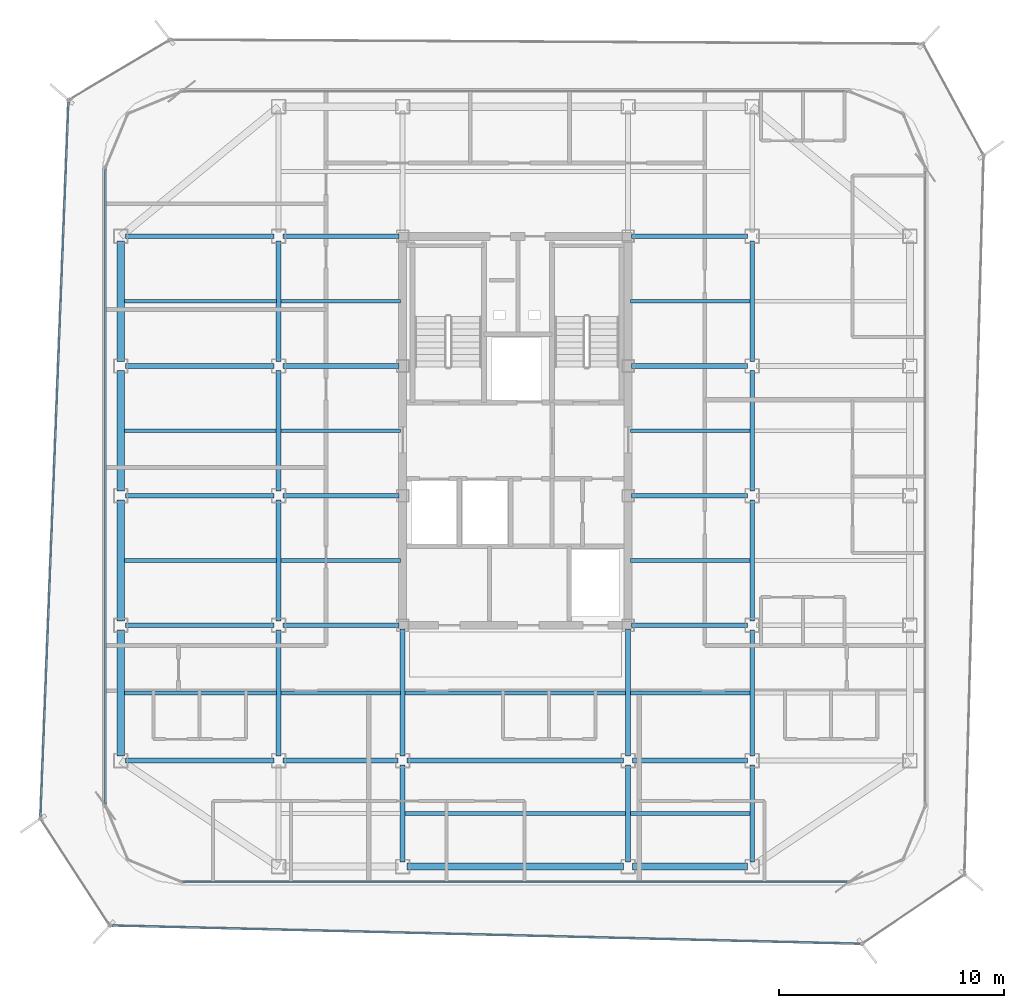
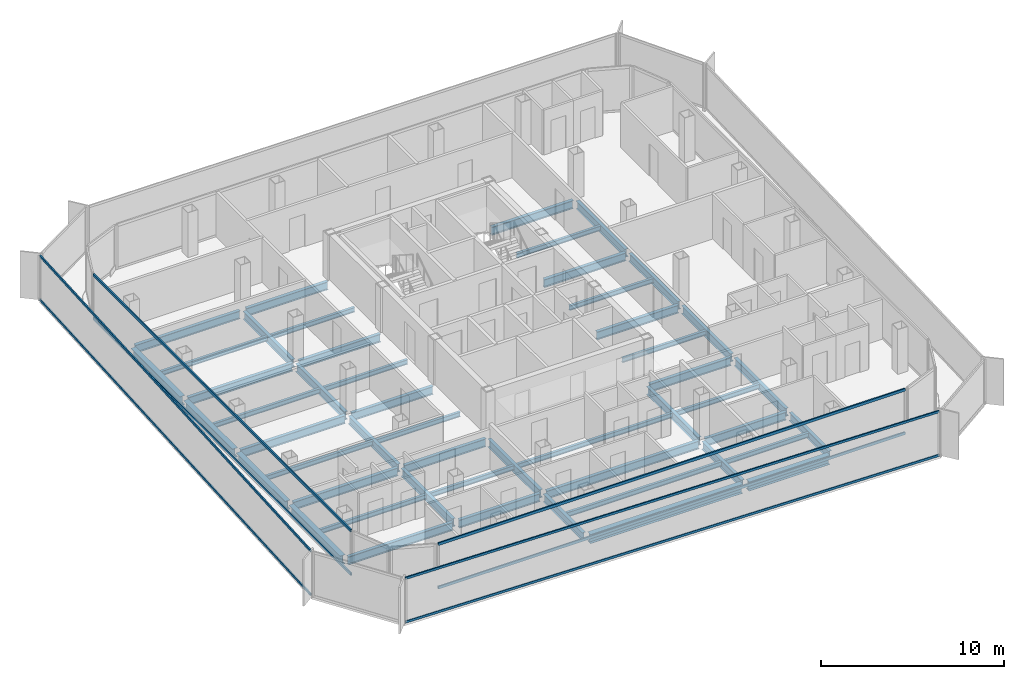
# One storey, part 3 of 15: 50 beams, 8 members, 4 elements without a shape of their own.
"""IFC4 building model written with IfcOpenShell, lengths in metres."""

from ifc_helpers import new_model, si_unit, direction, frame, origin, origin_2d, place, context, subcontext, project, spatial, hollow_rectangle, i_section, extrude, source, transform, mapped, material, layer, layer_set, material_profile, profile_set, type_object, element, aggregate, save


model = new_model("IFC4")

# Units and contexts
model_context = context("Model", 3, precision=1e-05, world=origin(), true_north=direction((0.0, 1.0)))
body_context = subcontext(model_context, "Body", "Model", "MODEL_VIEW")
ifc_project = project(units=[si_unit("LENGTHUNIT", "METRE"), si_unit("AREAUNIT", "SQUARE_METRE"), si_unit("VOLUMEUNIT", "CUBIC_METRE"), si_unit("PLANEANGLEUNIT", "RADIAN"), si_unit("MASSUNIT", "GRAM", prefix="KILO")], contexts=[model_context])

# Site, building, storey
site_placement = place(None, origin())
site = spatial("IfcSite", under=ifc_project, at=site_placement, CompositionType="ELEMENT")
building_placement = place(site_placement, origin())
building = spatial("IfcBuilding", under=site, at=building_placement, Name="Kolveth Station Tower", CompositionType="ELEMENT")
storey_placement = place(building_placement, frame((0.0, 0.0, 252.10009765625)))
storey = spatial("IfcBuildingStorey", under=building, at=storey_placement, Name="L72", CompositionType="ELEMENT", Elevation=252.10009765625)

# Beams
ifc_material_1 = material(Name="Steel S355", Category="steel")
ifc_material_profile_1 = material_profile(ifc_material_1, i_section(OverallWidth=0.323974609375, OverallDepth=0.611083984375, WebThickness=0.0126953125, FlangeThickness=0.01904296875, at=origin_2d()), Name="W610x155")
ifc_profile_set_1 = profile_set([ifc_material_profile_1], Name="Steel S355")
beam_type_1 = type_object("IfcBeamType", Name="Beam_SP2", PredefinedType="SPANDREL", material=ifc_profile_set_1)
shared_shape_1 = source(origin(), body_context, "Body", "SweptSolid", [
    extrude(i_section(OverallWidth=0.323974609375, OverallDepth=0.611083984375, WebThickness=0.0126953125, FlangeThickness=0.01904296875, at=origin_2d()), origin(), (0.0, 0.0, 1.0), 5.10009765625),
])
beam_1_placement = place(storey_placement, frame((28.699951171875, 0.800048828125, -0.525634765625), z_axis=(1.0, 0.0, 0.0), x_axis=(0.0, 1.0, 0.0)))
element("IfcBeam", 1, at=beam_1_placement, inside=storey, type_object=beam_type_1, Name="L72 Perimeter Spandrel BM-L72-PS-3", PredefinedType="SPANDREL", context=body_context, shape_type="MappedRepresentation", body=[
    mapped(shared_shape_1, transform((0.0, 0.0, 0.0), x_axis=(1.0, 0.0, 0.0), y_axis=(0.0, 1.0, 0.0), z_axis=(0.0, 0.0, 1.0), scale=1.0)),
])
shared_shape_2 = source(origin(), body_context, "Body", "SweptSolid", [
    extrude(i_section(OverallWidth=0.323974609375, OverallDepth=0.611083984375, WebThickness=0.0126953125, FlangeThickness=0.01904296875, at=origin_2d()), origin(), (0.0, 0.0, 1.0), 9.60009765625),
])
beam_2_placement = place(storey_placement, frame((18.699951171875, 0.800048828125, -0.525634765625), z_axis=(1.0, 0.0, 0.0), x_axis=(0.0, 1.0, 0.0)))
element("IfcBeam", 2, at=beam_2_placement, inside=storey, type_object=beam_type_1, Name="L72 Perimeter Spandrel BM-L72-PS-2", PredefinedType="SPANDREL", context=body_context, shape_type="MappedRepresentation", body=[
    mapped(shared_shape_2, transform((0.0, 0.0, 0.0), x_axis=(1.0, 0.0, 0.0), y_axis=(0.0, 1.0, 0.0), z_axis=(0.0, 0.0, 1.0), scale=1.0)),
])
shared_shape_3 = source(origin(), body_context, "Body", "SweptSolid", [
    extrude(i_section(OverallWidth=0.323974609375, OverallDepth=0.611083984375, WebThickness=0.0126953125, FlangeThickness=0.01904296875, at=origin_2d()), origin(), (0.0, 0.0, 1.0), 5.60009765625),
])
beam_3_placement = place(storey_placement, frame((6.0, 5.699951171875, -0.525634765625), z_axis=(0.0, 1.0, 0.0), x_axis=(-1.0, 0.0, 0.0)))
element("IfcBeam", 3, at=beam_3_placement, inside=storey, type_object=beam_type_1, Name="L72 Perimeter Spandrel BM-L72-PW-1", PredefinedType="SPANDREL", context=body_context, shape_type="MappedRepresentation", body=[
    mapped(shared_shape_3, transform((0.0, 0.0, 0.0), x_axis=(1.0, 0.0, 0.0), y_axis=(0.0, 1.0, 0.0), z_axis=(0.0, 0.0, 1.0), scale=1.0)),
])
shared_shape_4 = source(origin(), body_context, "Body", "SweptSolid", [
    extrude(i_section(OverallWidth=0.323974609375, OverallDepth=0.611083984375, WebThickness=0.0126953125, FlangeThickness=0.01904296875, at=origin_2d()), origin(), (0.0, 0.0, 1.0), 5.35009765625),
])
for number, where, z_axis, x_axis, name in (
    (4, (6.0, 11.699951171875, -0.525634765625), (0.0, 1.0, 0.0), (-1.0, 0.0, 0.0), "L72 Perimeter Spandrel BM-L72-PW-2"),
    (5, (6.0, 17.449951171875, -0.525634765625), (0.0, 1.0, 0.0), (-1.0, 0.0, 0.0), "L72 Perimeter Spandrel BM-L72-PW-3"),
    (6, (6.0, 23.199951171875, -0.525634765625), (0.0, 1.0, 0.0), (-1.0, 0.0, 0.0), "L72 Perimeter Spandrel BM-L72-PW-4"),
):
    element("IfcBeam", number, at=place(storey_placement, frame(where, z_axis=z_axis, x_axis=x_axis)), inside=storey, type_object=beam_type_1, Name=name, PredefinedType="SPANDREL", context=body_context, shape_type="MappedRepresentation", body=[
        mapped(shared_shape_4, transform((0.0, 0.0, 0.0), x_axis=(1.0, 0.0, 0.0), y_axis=(0.0, 1.0, 0.0), z_axis=(0.0, 0.0, 1.0), scale=1.0)),
    ])
ifc_material_profile_2 = material_profile(ifc_material_1, i_section(OverallWidth=0.2099609375, OverallDepth=0.537109375, WebThickness=0.010986328125, FlangeThickness=0.017333984375, at=origin_2d()), Name="W530x101")
ifc_profile_set_2 = profile_set([ifc_material_profile_2], Name="Steel S355")
beam_type_2 = type_object("IfcBeamType", Name="Beam_B6", PredefinedType="BEAM", material=ifc_profile_set_2)
shared_shape_5 = source(origin(), body_context, "Body", "SweptSolid", [
    extrude(i_section(OverallWidth=0.2099609375, OverallDepth=0.537109375, WebThickness=0.010986328125, FlangeThickness=0.017333984375, at=origin_2d()), origin(), (0.0, 0.0, 1.0), 6.60009765625),
])
for number, where, z_axis, x_axis, name in (
    (7, (6.199951171875, 5.5, -0.488525390625), (1.0, 0.0, 0.0), (0.0, 1.0, 0.0), "L72 Primary Girder BM-L72-GY55-1"),
    (8, (6.199951171875, 11.5, -0.488525390625), (1.0, 0.0, 0.0), (0.0, 1.0, 0.0), "L72 Primary Girder BM-L72-GY115-1"),
    (9, (6.199951171875, 17.25, -0.488525390625), (1.0, 0.0, 0.0), (0.0, 1.0, 0.0), "L72 Primary Girder BM-L72-GY172-1"),
    (10, (6.199951171875, 23.0, -0.488525390625), (1.0, 0.0, 0.0), (0.0, 1.0, 0.0), "L72 Primary Girder BM-L72-GY230-1"),
    (11, (6.199951171875, 28.75, -0.488525390625), (1.0, 0.0, 0.0), (0.0, 1.0, 0.0), "L72 Primary Girder BM-L72-GY287-1"),
):
    element("IfcBeam", number, at=place(storey_placement, frame(where, z_axis=z_axis, x_axis=x_axis)), inside=storey, type_object=beam_type_2, Name=name, PredefinedType="BEAM", context=body_context, shape_type="MappedRepresentation", body=[
        mapped(shared_shape_5, transform((0.0, 0.0, 0.0), x_axis=(1.0, 0.0, 0.0), y_axis=(0.0, 1.0, 0.0), z_axis=(0.0, 0.0, 1.0), scale=1.0)),
    ])
shared_shape_6 = source(origin(), body_context, "Body", "SweptSolid", [
    extrude(i_section(OverallWidth=0.2099609375, OverallDepth=0.537109375, WebThickness=0.010986328125, FlangeThickness=0.017333984375, at=origin_2d()), origin(), (0.0, 0.0, 1.0), 5.10009765625),
])
for number, where, z_axis, x_axis, name in (
    (12, (13.199951171875, 5.5, -0.488525390625), (1.0, 0.0, 0.0), (0.0, 1.0, 0.0), "L72 Primary Girder BM-L72-GY55-2"),
    (13, (28.699951171875, 5.5, -0.488525390625), (1.0, 0.0, 0.0), (0.0, 1.0, 0.0), "L72 Primary Girder BM-L72-GY55-4"),
):
    element("IfcBeam", number, at=place(storey_placement, frame(where, z_axis=z_axis, x_axis=x_axis)), inside=storey, type_object=beam_type_2, Name=name, PredefinedType="BEAM", context=body_context, shape_type="MappedRepresentation", body=[
        mapped(shared_shape_6, transform((0.0, 0.0, 0.0), x_axis=(1.0, 0.0, 0.0), y_axis=(0.0, 1.0, 0.0), z_axis=(0.0, 0.0, 1.0), scale=1.0)),
    ])
shared_shape_7 = source(origin(), body_context, "Body", "SweptSolid", [
    extrude(i_section(OverallWidth=0.2099609375, OverallDepth=0.537109375, WebThickness=0.010986328125, FlangeThickness=0.017333984375, at=origin_2d()), origin(), (0.0, 0.0, 1.0), 9.60009765625),
])
beam_4_placement = place(storey_placement, frame((18.699951171875, 5.5, -0.488525390625), z_axis=(1.0, 0.0, 0.0), x_axis=(0.0, 1.0, 0.0)))
element("IfcBeam", 14, at=beam_4_placement, inside=storey, type_object=beam_type_2, Name="L72 Primary Girder BM-L72-GY55-3", PredefinedType="BEAM", context=body_context, shape_type="MappedRepresentation", body=[
    mapped(shared_shape_7, transform((0.0, 0.0, 0.0), x_axis=(1.0, 0.0, 0.0), y_axis=(0.0, 1.0, 0.0), z_axis=(0.0, 0.0, 1.0), scale=1.0)),
])
shared_shape_8 = source(origin(), body_context, "Body", "SweptSolid", [
    extrude(i_section(OverallWidth=0.2099609375, OverallDepth=0.537109375, WebThickness=0.010986328125, FlangeThickness=0.017333984375, at=origin_2d()), origin(), (0.0, 0.0, 1.0), 5.14013671875),
])
for number, where, z_axis, x_axis, name in (
    (15, (13.199951171875, 11.5, -0.488525390625), (1.0, 0.0, 0.0), (0.0, 1.0, 0.0), "L72 Primary Girder BM-L72-GY115-2"),
    (16, (28.659912109375, 11.5, -0.488525390625), (1.0, 0.0, 0.0), (0.0, 1.0, 0.0), "L72 Primary Girder BM-L72-GY115-4"),
    (17, (13.199951171875, 17.25, -0.488525390625), (1.0, 0.0, 0.0), (0.0, 1.0, 0.0), "L72 Primary Girder BM-L72-GY172-2"),
    (18, (28.659912109375, 17.25, -0.488525390625), (1.0, 0.0, 0.0), (0.0, 1.0, 0.0), "L72 Primary Girder BM-L72-GY172-4"),
    (19, (13.199951171875, 23.0, -0.488525390625), (1.0, 0.0, 0.0), (0.0, 1.0, 0.0), "L72 Primary Girder BM-L72-GY230-2"),
    (20, (28.659912109375, 23.0, -0.488525390625), (1.0, 0.0, 0.0), (0.0, 1.0, 0.0), "L72 Primary Girder BM-L72-GY230-4"),
    (21, (13.199951171875, 28.75, -0.488525390625), (1.0, 0.0, 0.0), (0.0, 1.0, 0.0), "L72 Primary Girder BM-L72-GY287-2"),
    (22, (28.659912109375, 28.75, -0.488525390625), (1.0, 0.0, 0.0), (0.0, 1.0, 0.0), "L72 Primary Girder BM-L72-GY287-4"),
):
    element("IfcBeam", number, at=place(storey_placement, frame(where, z_axis=z_axis, x_axis=x_axis)), inside=storey, type_object=beam_type_2, Name=name, PredefinedType="BEAM", context=body_context, shape_type="MappedRepresentation", body=[
        mapped(shared_shape_8, transform((0.0, 0.0, 0.0), x_axis=(1.0, 0.0, 0.0), y_axis=(0.0, 1.0, 0.0), z_axis=(0.0, 0.0, 1.0), scale=1.0)),
    ])
shared_shape_9 = source(origin(), body_context, "Body", "SweptSolid", [
    extrude(i_section(OverallWidth=0.2099609375, OverallDepth=0.537109375, WebThickness=0.010986328125, FlangeThickness=0.017333984375, at=origin_2d()), origin(), (0.0, 0.0, 1.0), 4.300048828125),
])
for number, where, z_axis, x_axis, name in (
    (23, (18.5, 1.0, -0.488525390625), (0.0, 1.0, 0.0), (-1.0, 0.0, 0.0), "L72 Primary Girder BM-L72-GX185-1"),
    (24, (28.5, 1.0, -0.488525390625), (0.0, 1.0, 0.0), (-1.0, 0.0, 0.0), "L72 Primary Girder BM-L72-GX285-1"),
    (25, (34.0, 1.0, -0.488525390625), (0.0, 1.0, 0.0), (-1.0, 0.0, 0.0), "L72 Primary Girder BM-L72-GX340-1"),
):
    element("IfcBeam", number, at=place(storey_placement, frame(where, z_axis=z_axis, x_axis=x_axis)), inside=storey, type_object=beam_type_2, Name=name, PredefinedType="BEAM", context=body_context, shape_type="MappedRepresentation", body=[
        mapped(shared_shape_9, transform((0.0, 0.0, 0.0), x_axis=(1.0, 0.0, 0.0), y_axis=(0.0, 1.0, 0.0), z_axis=(0.0, 0.0, 1.0), scale=1.0)),
    ])
shared_shape_10 = source(origin(), body_context, "Body", "SweptSolid", [
    extrude(i_section(OverallWidth=0.2099609375, OverallDepth=0.537109375, WebThickness=0.010986328125, FlangeThickness=0.017333984375, at=origin_2d()), origin(), (0.0, 0.0, 1.0), 5.60009765625),
])
for number, where, z_axis, x_axis, name in (
    (26, (13.0, 5.699951171875, -0.488525390625), (0.0, 1.0, 0.0), (-1.0, 0.0, 0.0), "L72 Primary Girder BM-L72-GX130-2"),
    (27, (34.0, 5.699951171875, -0.488525390625), (0.0, 1.0, 0.0), (-1.0, 0.0, 0.0), "L72 Primary Girder BM-L72-GX340-2"),
):
    element("IfcBeam", number, at=place(storey_placement, frame(where, z_axis=z_axis, x_axis=x_axis)), inside=storey, type_object=beam_type_2, Name=name, PredefinedType="BEAM", context=body_context, shape_type="MappedRepresentation", body=[
        mapped(shared_shape_10, transform((0.0, 0.0, 0.0), x_axis=(1.0, 0.0, 0.0), y_axis=(0.0, 1.0, 0.0), z_axis=(0.0, 0.0, 1.0), scale=1.0)),
    ])
shared_shape_11 = source(origin(), body_context, "Body", "SweptSolid", [
    extrude(i_section(OverallWidth=0.2099609375, OverallDepth=0.537109375, WebThickness=0.010986328125, FlangeThickness=0.017333984375, at=origin_2d()), origin(), (0.0, 0.0, 1.0), 5.35009765625),
])
for number, where, z_axis, x_axis, name in (
    (28, (13.0, 11.699951171875, -0.488525390625), (0.0, 1.0, 0.0), (-1.0, 0.0, 0.0), "L72 Primary Girder BM-L72-GX130-3"),
    (29, (13.0, 17.449951171875, -0.488525390625), (0.0, 1.0, 0.0), (-1.0, 0.0, 0.0), "L72 Primary Girder BM-L72-GX130-4"),
    (30, (13.0, 23.199951171875, -0.488525390625), (0.0, 1.0, 0.0), (-1.0, 0.0, 0.0), "L72 Primary Girder BM-L72-GX130-5"),
    (31, (34.0, 11.699951171875, -0.488525390625), (0.0, 1.0, 0.0), (-1.0, 0.0, 0.0), "L72 Primary Girder BM-L72-GX340-3"),
    (32, (34.0, 17.449951171875, -0.488525390625), (0.0, 1.0, 0.0), (-1.0, 0.0, 0.0), "L72 Primary Girder BM-L72-GX340-4"),
    (33, (34.0, 23.199951171875, -0.488525390625), (0.0, 1.0, 0.0), (-1.0, 0.0, 0.0), "L72 Primary Girder BM-L72-GX340-5"),
):
    element("IfcBeam", number, at=place(storey_placement, frame(where, z_axis=z_axis, x_axis=x_axis)), inside=storey, type_object=beam_type_2, Name=name, PredefinedType="BEAM", context=body_context, shape_type="MappedRepresentation", body=[
        mapped(shared_shape_11, transform((0.0, 0.0, 0.0), x_axis=(1.0, 0.0, 0.0), y_axis=(0.0, 1.0, 0.0), z_axis=(0.0, 0.0, 1.0), scale=1.0)),
    ])
shared_shape_12 = source(origin(), body_context, "Body", "SweptSolid", [
    extrude(i_section(OverallWidth=0.2099609375, OverallDepth=0.537109375, WebThickness=0.010986328125, FlangeThickness=0.017333984375, at=origin_2d()), origin(), (0.0, 0.0, 1.0), 5.64013671875),
])
for number, where, z_axis, x_axis, name in (
    (34, (18.5, 5.699951171875, -0.488525390625), (0.0, 1.0, 0.0), (-1.0, 0.0, 0.0), "L72 Primary Girder BM-L72-GX185-2"),
    (35, (28.5, 5.699951171875, -0.488525390625), (0.0, 1.0, 0.0), (-1.0, 0.0, 0.0), "L72 Primary Girder BM-L72-GX285-2"),
):
    element("IfcBeam", number, at=place(storey_placement, frame(where, z_axis=z_axis, x_axis=x_axis)), inside=storey, type_object=beam_type_2, Name=name, PredefinedType="BEAM", context=body_context, shape_type="MappedRepresentation", body=[
        mapped(shared_shape_12, transform((0.0, 0.0, 0.0), x_axis=(1.0, 0.0, 0.0), y_axis=(0.0, 1.0, 0.0), z_axis=(0.0, 0.0, 1.0), scale=1.0)),
    ])
ifc_material_profile_3 = material_profile(ifc_material_1, i_section(OverallWidth=0.1650390625, OverallDepth=0.31005859375, WebThickness=0.005859375, FlangeThickness=0.009765625, at=origin_2d()), Name="W310x39")
ifc_profile_set_3 = profile_set([ifc_material_profile_3], Name="Steel S355")
beam_type_3 = type_object("IfcBeamType", Name="Beam_J3", PredefinedType="JOIST", material=ifc_profile_set_3)
shared_shape_13 = source(origin(), body_context, "Body", "SweptSolid", [
    extrude(i_section(OverallWidth=0.1650390625, OverallDepth=0.31005859375, WebThickness=0.005859375, FlangeThickness=0.009765625, at=origin_2d()), origin(), (0.0, 0.0, 1.0), 6.737060546875),
])
for number, where, z_axis, x_axis, name in (
    (36, (6.159912109375, 8.5, -0.375), (1.0, 0.0, 0.0), (0.0, 1.0, 0.0), "L72 Secondary Joist JST-L72-1-2"),
    (37, (6.159912109375, 14.375, -0.375), (1.0, 0.0, 0.0), (0.0, 1.0, 0.0), "L72 Secondary Joist JST-L72-1-3"),
    (38, (6.159912109375, 20.125, -0.375), (1.0, 0.0, 0.0), (0.0, 1.0, 0.0), "L72 Secondary Joist JST-L72-1-4"),
    (39, (6.159912109375, 25.875, -0.375), (1.0, 0.0, 0.0), (0.0, 1.0, 0.0), "L72 Secondary Joist JST-L72-1-5"),
):
    element("IfcBeam", number, at=place(storey_placement, frame(where, z_axis=z_axis, x_axis=x_axis)), inside=storey, type_object=beam_type_3, Name=name, PredefinedType="JOIST", context=body_context, shape_type="MappedRepresentation", body=[
        mapped(shared_shape_13, transform((0.0, 0.0, 0.0), x_axis=(1.0, 0.0, 0.0), y_axis=(0.0, 1.0, 0.0), z_axis=(0.0, 0.0, 1.0), scale=1.0)),
    ])
shared_shape_14 = source(origin(), body_context, "Body", "SweptSolid", [
    extrude(i_section(OverallWidth=0.1650390625, OverallDepth=0.31005859375, WebThickness=0.005859375, FlangeThickness=0.009765625, at=origin_2d()), origin(), (0.0, 0.0, 1.0), 5.2939453125),
])
for number, where, z_axis, x_axis, name in (
    (40, (13.10302734375, 8.5, -0.375), (1.0, 0.0, 0.0), (0.0, 1.0, 0.0), "L72 Secondary Joist JST-L72-2-2"),
    (41, (13.10302734375, 14.375, -0.375), (1.0, 0.0, 0.0), (0.0, 1.0, 0.0), "L72 Secondary Joist JST-L72-2-3"),
    (42, (13.10302734375, 20.125, -0.375), (1.0, 0.0, 0.0), (0.0, 1.0, 0.0), "L72 Secondary Joist JST-L72-2-4"),
    (43, (13.10302734375, 25.875, -0.375), (1.0, 0.0, 0.0), (0.0, 1.0, 0.0), "L72 Secondary Joist JST-L72-2-5"),
    (44, (28.60302734375, 3.14990234375, -0.375), (1.0, 0.0, 0.0), (0.0, 1.0, 0.0), "L72 Secondary Joist JST-L72-4-1"),
    (45, (28.60302734375, 8.5, -0.375), (1.0, 0.0, 0.0), (0.0, 1.0, 0.0), "L72 Secondary Joist JST-L72-4-2"),
    (46, (28.60302734375, 14.375, -0.375), (1.0, 0.0, 0.0), (0.0, 1.0, 0.0), "L72 Secondary Joist JST-L72-4-3"),
    (47, (28.60302734375, 20.125, -0.375), (1.0, 0.0, 0.0), (0.0, 1.0, 0.0), "L72 Secondary Joist JST-L72-4-4"),
    (48, (28.60302734375, 25.875, -0.375), (1.0, 0.0, 0.0), (0.0, 1.0, 0.0), "L72 Secondary Joist JST-L72-4-5"),
):
    element("IfcBeam", number, at=place(storey_placement, frame(where, z_axis=z_axis, x_axis=x_axis)), inside=storey, type_object=beam_type_3, Name=name, PredefinedType="JOIST", context=body_context, shape_type="MappedRepresentation", body=[
        mapped(shared_shape_14, transform((0.0, 0.0, 0.0), x_axis=(1.0, 0.0, 0.0), y_axis=(0.0, 1.0, 0.0), z_axis=(0.0, 0.0, 1.0), scale=1.0)),
    ])
shared_shape_15 = source(origin(), body_context, "Body", "SweptSolid", [
    extrude(i_section(OverallWidth=0.1650390625, OverallDepth=0.31005859375, WebThickness=0.005859375, FlangeThickness=0.009765625, at=origin_2d()), origin(), (0.0, 0.0, 1.0), 9.7939453125),
])
for number, where, z_axis, x_axis, name in (
    (49, (18.60302734375, 3.14990234375, -0.375), (1.0, 0.0, 0.0), (0.0, 1.0, 0.0), "L72 Secondary Joist JST-L72-3-1"),
    (50, (18.60302734375, 8.5, -0.375), (1.0, 0.0, 0.0), (0.0, 1.0, 0.0), "L72 Secondary Joist JST-L72-3-2"),
):
    element("IfcBeam", number, at=place(storey_placement, frame(where, z_axis=z_axis, x_axis=x_axis)), inside=storey, type_object=beam_type_3, Name=name, PredefinedType="JOIST", context=body_context, shape_type="MappedRepresentation", body=[
        mapped(shared_shape_15, transform((0.0, 0.0, 0.0), x_axis=(1.0, 0.0, 0.0), y_axis=(0.0, 1.0, 0.0), z_axis=(0.0, 0.0, 1.0), scale=1.0)),
    ])

# Curtain wall, members
ifc_material_2 = material(Name="Aluminium 6063-T6 and triple low-E dark glass", Category="aluminium")
ifc_layer_1 = layer(ifc_material_2, 0.199951171875)
ifc_layer_set_1 = layer_set([ifc_layer_1], Name="Aluminium 6063-T6 and triple low-E dark glass")
curtain_wall_type_1 = type_object("IfcCurtainWallType", Name="CurtainWall_CW-Z3", PredefinedType="NOTDEFINED", material=ifc_layer_set_1)
curtain_wall_1_placement = place(storey_placement, origin())
curtain_wall_1 = element("IfcCurtainWall", 51, at=curtain_wall_1_placement, inside=storey, type_object=curtain_wall_type_1, Name="L72 Inner Thermal Curtain Wall 9", PredefinedType="NOTDEFINED")
ifc_material_3 = material(Name="Black anodized aluminium 6063-T6", Category="aluminium")
ifc_material_profile_4 = material_profile(ifc_material_3, hollow_rectangle(XDim=0.0849609375, YDim=0.179931640625, WallThickness=0.0048828125, at=origin_2d()), Name="ALU-85x180x5")
ifc_profile_set_4 = profile_set([ifc_material_profile_4], Name="Black anodized aluminium 6063-T6")
member_type_1 = type_object("IfcMemberType", Name="Transom_TR3", PredefinedType="USERDEFINED", material=ifc_profile_set_4)
shared_shape_16 = source(origin(), body_context, "Body", "SweptSolid", [
    extrude(hollow_rectangle(XDim=0.0849609375, YDim=0.179931640625, WallThickness=0.0048828125, at=origin_2d()), origin(), (0.0, 0.0, 1.0), 28.130126953125),
])
member_1_placement = place(storey_placement, frame((5.320068359375, 31.715087890625, 0.04248046875), z_axis=(0.0, -1.0, 0.0), x_axis=(1.0, 0.0, 0.0)))
member_1 = element("IfcMember", 52, at=member_1_placement, type_object=member_type_1, Name="CW-Z3 transom 1.1", ObjectType="TRANSOM", PredefinedType="USERDEFINED", context=body_context, shape_type="MappedRepresentation", body=[
    mapped(shared_shape_16, transform((0.0, 0.0, 0.0), x_axis=(1.0, 0.0, 0.0), y_axis=(0.0, 1.0, 0.0), z_axis=(0.0, 0.0, 1.0), scale=1.0)),
])
member_2_placement = place(storey_placement, frame((5.320068359375, 31.715087890625, 2.9375), z_axis=(0.0, -1.0, 0.0), x_axis=(1.0, 0.0, 0.0)))
member_2 = element("IfcMember", 53, at=member_2_placement, type_object=member_type_1, Name="CW-Z3 transom 1.2", ObjectType="TRANSOM", PredefinedType="USERDEFINED", context=body_context, shape_type="MappedRepresentation", body=[
    mapped(shared_shape_16, transform((0.0, 0.0, 0.0), x_axis=(1.0, 0.0, 0.0), y_axis=(0.0, 1.0, 0.0), z_axis=(0.0, 0.0, 1.0), scale=1.0)),
])
aggregate(curtain_wall_1, [member_1, member_2])

curtain_wall_2_placement = place(storey_placement, origin())
curtain_wall_2 = element("IfcCurtainWall", 54, at=curtain_wall_2_placement, inside=storey, type_object=curtain_wall_type_1, Name="L72 Inner Thermal Curtain Wall 12", PredefinedType="NOTDEFINED")
shared_shape_17 = source(origin(), body_context, "Body", "SweptSolid", [
    extrude(hollow_rectangle(XDim=0.0849609375, YDim=0.179931640625, WallThickness=0.0048828125, at=origin_2d()), origin(), (0.0, 0.0, 1.0), 29.43017578125),
])
member_3_placement = place(storey_placement, frame((8.784912109375, 0.1201171875, 0.04248046875), z_axis=(1.0, 0.0, 0.0), x_axis=(0.0, 1.0, 0.0)))
member_3 = element("IfcMember", 55, at=member_3_placement, type_object=member_type_1, Name="CW-Z3 transom 1.1", ObjectType="TRANSOM", PredefinedType="USERDEFINED", context=body_context, shape_type="MappedRepresentation", body=[
    mapped(shared_shape_17, transform((0.0, 0.0, 0.0), x_axis=(1.0, 0.0, 0.0), y_axis=(0.0, 1.0, 0.0), z_axis=(0.0, 0.0, 1.0), scale=1.0)),
])
member_4_placement = place(storey_placement, frame((8.784912109375, 0.1201171875, 2.9375), z_axis=(1.0, 0.0, 0.0), x_axis=(0.0, 1.0, 0.0)))
member_4 = element("IfcMember", 56, at=member_4_placement, type_object=member_type_1, Name="CW-Z3 transom 1.2", ObjectType="TRANSOM", PredefinedType="USERDEFINED", context=body_context, shape_type="MappedRepresentation", body=[
    mapped(shared_shape_17, transform((0.0, 0.0, 0.0), x_axis=(1.0, 0.0, 0.0), y_axis=(0.0, 1.0, 0.0), z_axis=(0.0, 0.0, 1.0), scale=1.0)),
])
aggregate(curtain_wall_2, [member_3, member_4])

ifc_material_4 = material(Name="Black anodized aluminium 6063-T6 and dark solar glass", Category="aluminium")
ifc_layer_2 = layer(ifc_material_4, 0.159912109375)
ifc_layer_set_2 = layer_set([ifc_layer_2], Name="Black anodized aluminium 6063-T6 and dark solar glass")
curtain_wall_type_2 = type_object("IfcCurtainWallType", Name="OUTER SKIN CW-OS", PredefinedType="NOTDEFINED", material=ifc_layer_set_2)
curtain_wall_3_placement = place(storey_placement, origin())
curtain_wall_3 = element("IfcCurtainWall", 57, at=curtain_wall_3_placement, inside=storey, type_object=curtain_wall_type_2, Name="L72 Outer Ventilated Skin Curtain Wall 6", PredefinedType="NOTDEFINED")
ifc_material_profile_5 = material_profile(ifc_material_3, hollow_rectangle(XDim=0.080078125, YDim=0.14990234375, WallThickness=0.0048828125, at=origin_2d()), Name="ALU-80x150x5")
ifc_profile_set_5 = profile_set([ifc_material_profile_5], Name="Black anodized aluminium 6063-T6")
member_type_2 = type_object("IfcMemberType", Name="Transom_TR-OS", PredefinedType="USERDEFINED", material=ifc_profile_set_5)
shared_shape_18 = source(origin(), body_context, "Body", "SweptSolid", [
    extrude(hollow_rectangle(XDim=0.080078125, YDim=0.14990234375, WallThickness=0.0048828125, at=origin_2d()), origin(), (0.0, 0.0, 1.0), 31.70947265625),
])
member_5_placement = place(storey_placement, frame((3.683349609375, 34.7021484375, 0.039794921875), z_axis=(-0.039143360772, -0.999233604973, 0.0), x_axis=(0.999233604973, -0.039143360772, 0.0)))
member_5 = element("IfcMember", 58, at=member_5_placement, type_object=member_type_2, Name="CW-OS transom 1.1", ObjectType="TRANSOM", PredefinedType="USERDEFINED", context=body_context, shape_type="MappedRepresentation", body=[
    mapped(shared_shape_18, transform((0.0, 0.0, 0.0), x_axis=(1.0, 0.0, 0.0), y_axis=(0.0, 1.0, 0.0), z_axis=(0.0, 0.0, 1.0), scale=1.0)),
])
member_6_placement = place(storey_placement, frame((3.683349609375, 34.7021484375, 2.949951171875), z_axis=(-0.039143360772, -0.999233604973, 0.0), x_axis=(0.999233604973, -0.039143360772, 0.0)))
member_6 = element("IfcMember", 59, at=member_6_placement, type_object=member_type_2, Name="CW-OS transom 1.2", ObjectType="TRANSOM", PredefinedType="USERDEFINED", context=body_context, shape_type="MappedRepresentation", body=[
    mapped(shared_shape_18, transform((0.0, 0.0, 0.0), x_axis=(1.0, 0.0, 0.0), y_axis=(0.0, 1.0, 0.0), z_axis=(0.0, 0.0, 1.0), scale=1.0)),
])
aggregate(curtain_wall_3, [member_5, member_6])

curtain_wall_4_placement = place(storey_placement, origin())
curtain_wall_4 = element("IfcCurtainWall", 60, at=curtain_wall_4_placement, inside=storey, type_object=curtain_wall_type_2, Name="L72 Outer Ventilated Skin Curtain Wall 8", PredefinedType="NOTDEFINED")
shared_shape_19 = source(origin(), body_context, "Body", "SweptSolid", [
    extrude(hollow_rectangle(XDim=0.080078125, YDim=0.14990234375, WallThickness=0.0048828125, at=origin_2d()), origin(), (0.0, 0.0, 1.0), 33.182373046875),
])
member_7_placement = place(storey_placement, frame((5.608154296875, -1.814697265625, 0.039794921875), z_axis=(0.999700714566, -0.024463877386, 0.0), x_axis=(0.024463877386, 0.999700714566, 0.0)))
member_7 = element("IfcMember", 61, at=member_7_placement, type_object=member_type_2, Name="CW-OS transom 1.1", ObjectType="TRANSOM", PredefinedType="USERDEFINED", context=body_context, shape_type="MappedRepresentation", body=[
    mapped(shared_shape_19, transform((0.0, 0.0, 0.0), x_axis=(1.0, 0.0, 0.0), y_axis=(0.0, 1.0, 0.0), z_axis=(0.0, 0.0, 1.0), scale=1.0)),
])
member_8_placement = place(storey_placement, frame((5.608154296875, -1.814697265625, 2.949951171875), z_axis=(0.999700714566, -0.024463877386, 0.0), x_axis=(0.024463877386, 0.999700714566, 0.0)))
member_8 = element("IfcMember", 62, at=member_8_placement, type_object=member_type_2, Name="CW-OS transom 1.2", ObjectType="TRANSOM", PredefinedType="USERDEFINED", context=body_context, shape_type="MappedRepresentation", body=[
    mapped(shared_shape_19, transform((0.0, 0.0, 0.0), x_axis=(1.0, 0.0, 0.0), y_axis=(0.0, 1.0, 0.0), z_axis=(0.0, 0.0, 1.0), scale=1.0)),
])
aggregate(curtain_wall_4, [member_7, member_8])

save(model, "model.ifc")
